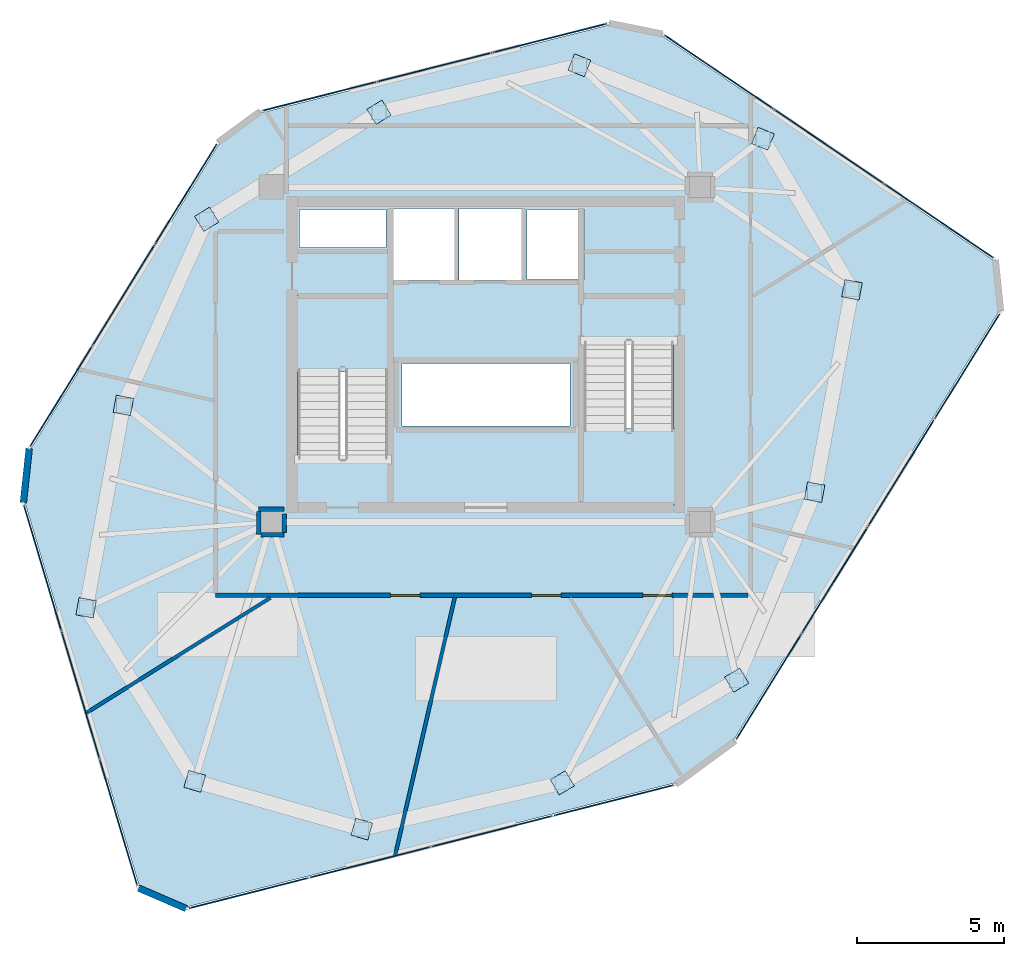
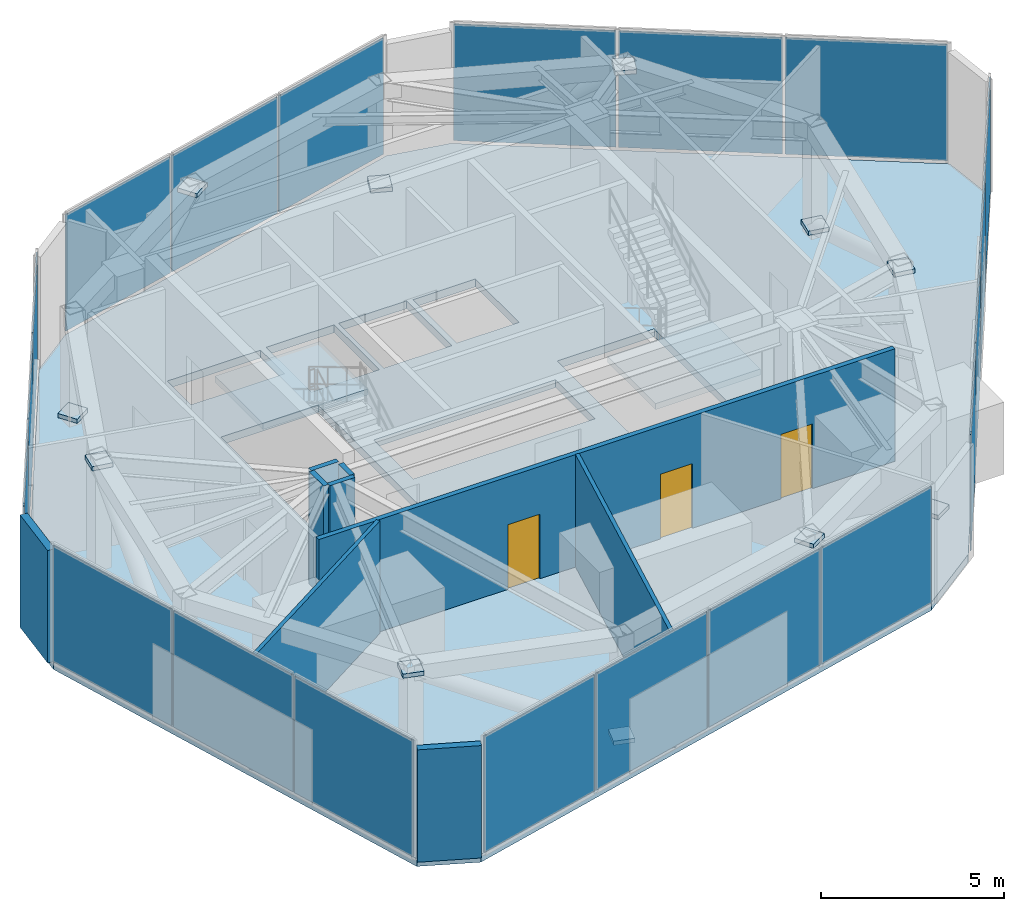
# One storey, part 17 of 21: 32 plates, 9 walls, 3 doors, 3 slabs, 3 openings, 8 elements without a shape of their own.
"""IFC4 building model written with IfcOpenShell, lengths in metres."""

from ifc_helpers import new_model, si_unit, direction, frame, frame_2d, origin, origin_2d, place, context, subcontext, project, spatial, polyline, rectangle, outline, extrude, source, transform, mapped, material, layer, layer_set, type_object, type_shapes, element, fill, aggregate, save


model = new_model("IFC4")

# Units and contexts
model_context = context("Model", 3, precision=1e-05, world=origin(), true_north=direction((0.0, 1.0)))
body_context = subcontext(model_context, "Body", "Model", "MODEL_VIEW")
ifc_project = project(units=[si_unit("LENGTHUNIT", "METRE"), si_unit("AREAUNIT", "SQUARE_METRE"), si_unit("VOLUMEUNIT", "CUBIC_METRE"), si_unit("PLANEANGLEUNIT", "RADIAN"), si_unit("MASSUNIT", "GRAM", prefix="KILO")], contexts=[model_context])

# Site, building, storey
site_placement = place(None, origin())
site = spatial("IfcSite", under=ifc_project, at=site_placement, CompositionType="ELEMENT")
building_placement = place(site_placement, origin())
building = spatial("IfcBuilding", under=site, at=building_placement, Name="Talar Marvaseh", CompositionType="ELEMENT")
storey_placement = place(building_placement, frame((0.0, 0.0, 300.0)))
storey = spatial("IfcBuildingStorey", under=building, at=storey_placement, Name="L80", CompositionType="ELEMENT", Elevation=300.0)

# Stair, slab
ifc_material_1 = material(Name="Concrete C40/50", Category="concrete")
stair_type = type_object("IfcStairType", Name="Reinforced Concrete High-Rise Exit Stair Type C", PredefinedType="HALF_TURN_STAIR", material=ifc_material_1)
stair_1_placement = place(storey_placement, origin())
stair_1 = element("IfcStair", 1, at=stair_1_placement, inside=storey, type_object=stair_type, Name="L80 Tower West Core Exit Stair", PredefinedType="HALF_TURN_STAIR")
ifc_layer_1 = layer(ifc_material_1, 0.199951171875)
ifc_layer_set_1 = layer_set([ifc_layer_1], Name="Concrete C40/50")
slab_type_1 = type_object("IfcSlabType", Name="Reinforced Concrete Stair Half-Landing Slab 200", PredefinedType="LANDING", material=ifc_layer_set_1)
slab_1_placement = place(storey_placement, frame((0.0, 0.0, 1.800048828125)))
slab_1 = element("IfcSlab", 2, at=slab_1_placement, type_object=slab_type_1, Name="ST-1 landing 1", PredefinedType="LANDING", context=body_context, shape_type="SweptSolid", body=[
    extrude(outline(polyline([(22.780029296875, 30.610107421875), (22.780029296875, 33.219970703125), (19.47998046875, 33.219970703125), (19.47998046875, 30.610107421875), (22.780029296875, 30.610107421875)])), origin(), (0.0, 0.0, 1.0), 0.199951171875),
])
aggregate(stair_1, [slab_1])

stair_2_placement = place(storey_placement, origin())
stair_2 = element("IfcStair", 3, at=stair_2_placement, inside=storey, type_object=stair_type, Name="L80 Tower East Core Exit Stair", PredefinedType="HALF_TURN_STAIR")
slab_2_placement = place(storey_placement, frame((0.0, 0.0, 1.800048828125)))
slab_2 = element("IfcSlab", 4, at=slab_2_placement, type_object=slab_type_1, Name="ST-2 landing 1", PredefinedType="LANDING", context=body_context, shape_type="SweptSolid", body=[
    extrude(outline(polyline([(29.219970703125, 28.68994140625), (29.219970703125, 26.080078125), (32.52001953125, 26.080078125), (32.52001953125, 28.68994140625), (29.219970703125, 28.68994140625)])), origin(), (0.0, 0.0, 1.0), 0.199951171875),
])
aggregate(stair_2, [slab_2])

# Slab
ifc_layer_2 = layer(ifc_material_1, 0.260009765625)
ifc_layer_set_2 = layer_set([ifc_layer_2], Name="Concrete C40/50")
slab_type_2 = type_object("IfcSlabType", Name="Structural Suspended Floor Slab 260", PredefinedType="FLOOR", material=ifc_layer_set_2)
slab_3_placement = place(storey_placement, frame((0.0, 0.0, -0.260009765625)))
element("IfcSlab", 5, at=slab_3_placement, inside=storey, type_object=slab_type_2, Name="L80 Tower Floor Slab", PredefinedType="FLOOR", context=body_context, shape_type="SweptSolid", body=[
    extrude(outline(polyline([(15.81689453125, 12.386474609375), (14.20263671875, 13.08251953125), (10.30810546875, 26.1494140625), (10.50634765625, 27.9951171875), (16.9169921875, 38.382080078125), (18.352783203125, 39.43505859375), (30.186767578125, 42.425537109375), (32.0068359375, 42.059326171875), (43.297607421875, 34.416015625), (43.47607421875, 32.6669921875), (34.451904296875, 18.089111328125), (32.433837890625, 16.609375), (15.81689453125, 12.386474609375)]), holes=[polyline([(22.659912109375, 27.64990234375), (22.659912109375, 33.10009765625), (19.60009765625, 33.10009765625), (19.60009765625, 27.64990234375), (22.659912109375, 27.64990234375)]), polyline([(29.340087890625, 31.64990234375), (29.340087890625, 26.199951171875), (32.39990234375, 26.199951171875), (32.39990234375, 31.64990234375), (29.340087890625, 31.64990234375)]), polyline([(22.800048828125, 33.719970703125), (24.93994140625, 33.719970703125), (24.93994140625, 36.179931640625), (22.800048828125, 36.179931640625), (22.800048828125, 33.719970703125)]), polyline([(25.080078125, 33.719970703125), (27.219970703125, 33.719970703125), (27.219970703125, 36.179931640625), (25.080078125, 36.179931640625), (25.080078125, 33.719970703125)]), polyline([(19.659912109375, 34.840087890625), (22.60009765625, 34.840087890625), (22.60009765625, 36.139892578125), (19.659912109375, 36.139892578125), (19.659912109375, 34.840087890625)]), polyline([(27.39990234375, 33.760009765625), (29.360107421875, 33.760009765625), (29.360107421875, 36.139892578125), (27.39990234375, 36.139892578125), (27.39990234375, 33.760009765625)]), polyline([(23.139892578125, 28.760009765625), (28.860107421875, 28.760009765625), (28.860107421875, 30.89990234375), (23.139892578125, 30.89990234375), (23.139892578125, 28.760009765625)])]), origin(), (0.0, 0.0, 1.0), 0.260009765625),
])

# Plates
ifc_material_2 = material(Name="Steel S460", Category="steel")
ifc_layer_3 = layer(ifc_material_2, 0.030029296875)
ifc_layer_set_3 = layer_set([ifc_layer_3], Name="Steel S460")
plate_type_1 = type_object("IfcPlateType", Name="Heavy Box End Closure Cap Plate 30", PredefinedType="USERDEFINED", material=ifc_layer_set_3)
shared_shape_1 = source(origin(), body_context, "Body", "SweptSolid", [
    extrude(rectangle(XDim=0.60009765625, YDim=0.60009765625, at=origin_2d()), origin(), (0.0, 0.0, 1.0), 0.139892578125),
])
type_shapes(plate_type_1, [shared_shape_1])
for number, where, z_axis, x_axis, name in (
    (6, (12.388916015625, 22.576904296875, 0.18017578125), (0.0, 0.0, 1.0), (0.180519145251, 0.983571470813, 0.0), "L80 Hollow Member End Cap Plate"),
    (7, (13.657958984375, 29.469970703125, 3.419921875), (0.0, 0.0, 1.0), (0.180519145251, 0.983571470813, 0.0), "L80 Hollow Member End Cap Plate"),
    (8, (16.493896484375, 35.806884765625, 0.18017578125), (0.0, 0.0, 1.0), (0.849892692987, 0.526955795497, 0.0), "L80 Hollow Member End Cap Plate"),
    (9, (22.364990234375, 39.4541015625, 3.419921875), (0.0, 0.0, 1.0), (0.849892692987, 0.526955795497, 0.0), "L80 Hollow Member End Cap Plate"),
    (10, (29.18798828125, 41.052001953125, 0.18017578125), (0.0, 0.0, 1.0), (0.928485826881, -0.37136783555, 0.0), "L80 Hollow Member End Cap Plate"),
    (11, (35.43798828125, 38.551025390625, 3.419921875), (0.0, 0.0, 1.0), (0.928485826881, -0.37136783555, 0.0), "L80 Hollow Member End Cap Plate"),
    (12, (38.470947265625, 33.406005859375, 0.18017578125), (0.0, 0.0, 1.0), (-0.182235525492, -0.983254907564, 0.0), "L80 Hollow Member End Cap Plate"),
    (13, (37.197021484375, 26.513916015625, 3.419921875), (0.0, 0.0, 1.0), (-0.182235525492, -0.983254907564, 0.0), "L80 Hollow Member End Cap Plate"),
    (14, (34.5439453125, 20.111083984375, 0.18017578125), (0.0, 0.0, 1.0), (-0.861629160442, -0.507538362961, 0.0), "L80 Hollow Member End Cap Plate"),
    (15, (28.60498046875, 16.616943359375, 3.419921875), (0.0, 0.0, 1.0), (-0.861629160442, -0.507538362961, 0.0), "L80 Hollow Member End Cap Plate"),
    (16, (21.77587890625, 15.0400390625, 0.18017578125), (0.0, 0.0, 1.0), (-0.961261695938, 0.275637355817, 0.0), "L80 Hollow Member End Cap Plate"),
    (17, (16.0869140625, 16.66796875, 3.419921875), (0.0, 0.0, 1.0), (-0.961261695938, 0.275637355817, 0.0), "L80 Hollow Member End Cap Plate"),
):
    element("IfcPlate", number, at=place(storey_placement, frame(where, z_axis=z_axis, x_axis=x_axis)), inside=storey, type_object=plate_type_1, Name=name, ObjectType="CAP_PLATE", PredefinedType="USERDEFINED", context=body_context, shape_type="MappedRepresentation", body=[
        mapped(shared_shape_1, transform((0.0, 0.0, 0.0), x_axis=(1.0, 0.0, 0.0), y_axis=(0.0, 1.0, 0.0), z_axis=(0.0, 0.0, 1.0), scale=1.0)),
    ])

# Curtain wall, plates
ifc_material_3 = material(Name="Architectural Aluminium", Category="aluminium")
ifc_layer_4 = layer(ifc_material_3, 0.2099609375)
ifc_layer_set_4 = layer_set([ifc_layer_4], Name="Architectural Aluminium")
curtain_wall_type = type_object("IfcCurtainWallType", Name="Crown Plant Acoustic Spandrel Curtain Wall", PredefinedType="NOTDEFINED", material=ifc_layer_set_4)
curtain_wall_1_placement = place(storey_placement, origin())
curtain_wall_1 = element("IfcCurtainWall", 18, at=curtain_wall_1_placement, inside=storey, type_object=curtain_wall_type, Name="L80 Crown Plant Acoustic Spandrel Curtain Wall", PredefinedType="NOTDEFINED")
ifc_material_4 = material(Name="Spandrel Insulated Glass", Category="glass")
ifc_layer_5 = layer(ifc_material_4, 0.035888671875)
ifc_layer_set_5 = layer_set([ifc_layer_5], Name="Spandrel Insulated Glass")
plate_type_2 = type_object("IfcPlateType", Name="Insulated Back-Painted Spandrel Curtain Panel 36", PredefinedType="CURTAIN_PANEL", material=ifc_layer_set_5)
shared_shape_2 = source(origin(), body_context, "Body", "SweptSolid", [
    extrude(rectangle(XDim=4.447509765625, YDim=0.035888671875, at=origin_2d()), origin(), (0.0, 0.0, 1.0), 3.8701171875),
])
plate_1_placement = place(storey_placement, frame((13.491455078125, 15.2587890625, 0.06494140625), z_axis=(0.0, 0.0, 1.0), x_axis=(-0.285624213164, 0.958341697337, 0.0)))
plate_1 = element("IfcPlate", 19, at=plate_1_placement, type_object=plate_type_2, Name="CW-CRN panel 1.1", PredefinedType="CURTAIN_PANEL", context=body_context, shape_type="MappedRepresentation", body=[
    mapped(shared_shape_2, transform((0.0, 0.0, 0.0), x_axis=(1.0, 0.0, 0.0), y_axis=(0.0, 1.0, 0.0), z_axis=(0.0, 0.0, 1.0), scale=1.0)),
])
plate_2_placement = place(storey_placement, frame((10.904296875, 23.93896484375, 0.06494140625), z_axis=(0.0, 0.0, 1.0), x_axis=(-0.285624213164, 0.958341697337, 0.0)))
plate_2 = element("IfcPlate", 20, at=plate_2_placement, type_object=plate_type_2, Name="CW-CRN panel 3.1", PredefinedType="CURTAIN_PANEL", context=body_context, shape_type="MappedRepresentation", body=[
    mapped(shared_shape_2, transform((0.0, 0.0, 0.0), x_axis=(1.0, 0.0, 0.0), y_axis=(0.0, 1.0, 0.0), z_axis=(0.0, 0.0, 1.0), scale=1.0)),
])

curtain_wall_2_placement = place(storey_placement, origin())
curtain_wall_2 = element("IfcCurtainWall", 21, at=curtain_wall_2_placement, inside=storey, type_object=curtain_wall_type, Name="L80 Crown Plant Acoustic Spandrel Curtain Wall", PredefinedType="NOTDEFINED")
plate_3_placement = place(storey_placement, frame((33.935791015625, 40.825927734375, 0.06494140625), z_axis=(0.0, 0.0, 1.0), x_axis=(0.828098262925, -0.560582970612, 0.0)))
plate_3 = element("IfcPlate", 22, at=plate_3_placement, type_object=plate_type_2, Name="CW-CRN panel 1.1", PredefinedType="CURTAIN_PANEL", context=body_context, shape_type="MappedRepresentation", body=[
    mapped(shared_shape_2, transform((0.0, 0.0, 0.0), x_axis=(1.0, 0.0, 0.0), y_axis=(0.0, 1.0, 0.0), z_axis=(0.0, 0.0, 1.0), scale=1.0)),
])
plate_4_placement = place(storey_placement, frame((41.43603515625, 35.74853515625, 0.06494140625), z_axis=(0.0, 0.0, 1.0), x_axis=(0.828098262925, -0.560582970612, 0.0)))
plate_4 = element("IfcPlate", 23, at=plate_4_placement, type_object=plate_type_2, Name="CW-CRN panel 3.1", PredefinedType="CURTAIN_PANEL", context=body_context, shape_type="MappedRepresentation", body=[
    mapped(shared_shape_2, transform((0.0, 0.0, 0.0), x_axis=(1.0, 0.0, 0.0), y_axis=(0.0, 1.0, 0.0), z_axis=(0.0, 0.0, 1.0), scale=1.0)),
])

# Plate
shared_shape_3 = source(origin(), body_context, "Body", "SweptSolid", [
    extrude(rectangle(XDim=4.47998046875, YDim=0.035888671875, at=origin_2d()), origin(), (0.0, 0.0, 1.0), 3.8701171875),
])
plate_5_placement = place(storey_placement, frame((12.197998046875, 19.598876953125, 0.06494140625), z_axis=(0.0, 0.0, 1.0), x_axis=(-0.285624213164, 0.958341697337, 0.0)))
plate_5 = element("IfcPlate", 24, at=plate_5_placement, type_object=plate_type_2, Name="CW-CRN panel 2.1", PredefinedType="CURTAIN_PANEL", context=body_context, shape_type="MappedRepresentation", body=[
    mapped(shared_shape_3, transform((0.0, 0.0, 0.0), x_axis=(1.0, 0.0, 0.0), y_axis=(0.0, 1.0, 0.0), z_axis=(0.0, 0.0, 1.0), scale=1.0)),
])

aggregate(curtain_wall_1, [plate_1, plate_5, plate_2])

plate_6_placement = place(storey_placement, frame((37.685791015625, 38.287353515625, 0.06494140625), z_axis=(0.0, 0.0, 1.0), x_axis=(0.828098262925, -0.560582970612, 0.0)))
plate_6 = element("IfcPlate", 25, at=plate_6_placement, type_object=plate_type_2, Name="CW-CRN panel 2.1", PredefinedType="CURTAIN_PANEL", context=body_context, shape_type="MappedRepresentation", body=[
    mapped(shared_shape_3, transform((0.0, 0.0, 0.0), x_axis=(1.0, 0.0, 0.0), y_axis=(0.0, 1.0, 0.0), z_axis=(0.0, 0.0, 1.0), scale=1.0)),
])

aggregate(curtain_wall_2, [plate_3, plate_6, plate_4])

# Curtain wall, plates
curtain_wall_3_placement = place(storey_placement, origin())
curtain_wall_3 = element("IfcCurtainWall", 26, at=curtain_wall_3_placement, inside=storey, type_object=curtain_wall_type, Name="L80 Crown Plant Acoustic Spandrel Curtain Wall", PredefinedType="NOTDEFINED")
shared_shape_4 = source(origin(), body_context, "Body", "SweptSolid", [
    extrude(rectangle(XDim=3.97119140625, YDim=0.035888671875, at=origin_2d()), origin(), (0.0, 0.0, 1.0), 3.8701171875),
])
plate_7_placement = place(storey_placement, frame((11.5322265625, 29.771728515625, 0.06494140625), z_axis=(0.0, 0.0, 1.0), x_axis=(0.52520226259, 0.850977428238, 0.0)))
plate_7 = element("IfcPlate", 27, at=plate_7_placement, type_object=plate_type_2, Name="CW-CRN panel 1.1", PredefinedType="CURTAIN_PANEL", context=body_context, shape_type="MappedRepresentation", body=[
    mapped(shared_shape_4, transform((0.0, 0.0, 0.0), x_axis=(1.0, 0.0, 0.0), y_axis=(0.0, 1.0, 0.0), z_axis=(0.0, 0.0, 1.0), scale=1.0)),
])
plate_8_placement = place(storey_placement, frame((15.788818359375, 36.668701171875, 0.06494140625), z_axis=(0.0, 0.0, 1.0), x_axis=(0.52520226259, 0.850977428238, 0.0)))
plate_8 = element("IfcPlate", 28, at=plate_8_placement, type_object=plate_type_2, Name="CW-CRN panel 3.1", PredefinedType="CURTAIN_PANEL", context=body_context, shape_type="MappedRepresentation", body=[
    mapped(shared_shape_4, transform((0.0, 0.0, 0.0), x_axis=(1.0, 0.0, 0.0), y_axis=(0.0, 1.0, 0.0), z_axis=(0.0, 0.0, 1.0), scale=1.0)),
])

curtain_wall_4_placement = place(storey_placement, origin())
curtain_wall_4 = element("IfcCurtainWall", 29, at=curtain_wall_4_placement, inside=storey, type_object=curtain_wall_type, Name="L80 Crown Plant Acoustic Spandrel Curtain Wall", PredefinedType="NOTDEFINED")
plate_9_placement = place(storey_placement, frame((20.326171875, 39.99560546875, 0.06494140625), z_axis=(0.0, 0.0, 1.0), x_axis=(0.969522501223, 0.245002284933, 0.0)))
plate_9 = element("IfcPlate", 30, at=plate_9_placement, type_object=plate_type_2, Name="CW-CRN panel 1.1", PredefinedType="CURTAIN_PANEL", context=body_context, shape_type="MappedRepresentation", body=[
    mapped(shared_shape_4, transform((0.0, 0.0, 0.0), x_axis=(1.0, 0.0, 0.0), y_axis=(0.0, 1.0, 0.0), z_axis=(0.0, 0.0, 1.0), scale=1.0)),
])
plate_10_placement = place(storey_placement, frame((28.18408203125, 41.981201171875, 0.06494140625), z_axis=(0.0, 0.0, 1.0), x_axis=(0.969522501223, 0.245002284933, 0.0)))
plate_10 = element("IfcPlate", 31, at=plate_10_placement, type_object=plate_type_2, Name="CW-CRN panel 3.1", PredefinedType="CURTAIN_PANEL", context=body_context, shape_type="MappedRepresentation", body=[
    mapped(shared_shape_4, transform((0.0, 0.0, 0.0), x_axis=(1.0, 0.0, 0.0), y_axis=(0.0, 1.0, 0.0), z_axis=(0.0, 0.0, 1.0), scale=1.0)),
])

# Plate
shared_shape_5 = source(origin(), body_context, "Body", "SweptSolid", [
    extrude(rectangle(XDim=4.003662109375, YDim=0.035888671875, at=origin_2d()), origin(), (0.0, 0.0, 1.0), 3.8701171875),
])
plate_11_placement = place(storey_placement, frame((13.660400390625, 33.22021484375, 0.06494140625), z_axis=(0.0, 0.0, 1.0), x_axis=(0.52520226259, 0.850977428238, 0.0)))
plate_11 = element("IfcPlate", 32, at=plate_11_placement, type_object=plate_type_2, Name="CW-CRN panel 2.1", PredefinedType="CURTAIN_PANEL", context=body_context, shape_type="MappedRepresentation", body=[
    mapped(shared_shape_5, transform((0.0, 0.0, 0.0), x_axis=(1.0, 0.0, 0.0), y_axis=(0.0, 1.0, 0.0), z_axis=(0.0, 0.0, 1.0), scale=1.0)),
])

aggregate(curtain_wall_3, [plate_7, plate_11, plate_8])

plate_12_placement = place(storey_placement, frame((24.255126953125, 40.988525390625, 0.06494140625), z_axis=(0.0, 0.0, 1.0), x_axis=(0.969522501223, 0.245002284933, 0.0)))
plate_12 = element("IfcPlate", 33, at=plate_12_placement, type_object=plate_type_2, Name="CW-CRN panel 2.1", PredefinedType="CURTAIN_PANEL", context=body_context, shape_type="MappedRepresentation", body=[
    mapped(shared_shape_5, transform((0.0, 0.0, 0.0), x_axis=(1.0, 0.0, 0.0), y_axis=(0.0, 1.0, 0.0), z_axis=(0.0, 0.0, 1.0), scale=1.0)),
])

aggregate(curtain_wall_4, [plate_9, plate_12, plate_10])

# Curtain wall, plates
curtain_wall_5_placement = place(storey_placement, origin())
curtain_wall_5 = element("IfcCurtainWall", 34, at=curtain_wall_5_placement, inside=storey, type_object=curtain_wall_type, Name="L80 Crown Plant Acoustic Spandrel Curtain Wall", PredefinedType="NOTDEFINED")
shared_shape_6 = source(origin(), body_context, "Body", "SweptSolid", [
    extrude(rectangle(XDim=4.188720703125, YDim=0.035888671875, at=origin_2d()), origin(), (0.0, 0.0, 1.0), 3.8701171875),
])
plate_13_placement = place(storey_placement, frame((42.390625, 30.79931640625, 0.06494140625), z_axis=(0.0, 0.0, 1.0), x_axis=(-0.526349795552, -0.850268129899, 0.0)))
plate_13 = element("IfcPlate", 35, at=plate_13_placement, type_object=plate_type_2, Name="CW-CRN panel 1.1", PredefinedType="CURTAIN_PANEL", context=body_context, shape_type="MappedRepresentation", body=[
    mapped(shared_shape_6, transform((0.0, 0.0, 0.0), x_axis=(1.0, 0.0, 0.0), y_axis=(0.0, 1.0, 0.0), z_axis=(0.0, 0.0, 1.0), scale=1.0)),
])
plate_14_placement = place(storey_placement, frame((35.639404296875, 19.8935546875, 0.06494140625), z_axis=(0.0, 0.0, 1.0), x_axis=(-0.526349795552, -0.850268129899, 0.0)))
plate_14 = element("IfcPlate", 36, at=plate_14_placement, type_object=plate_type_2, Name="CW-CRN panel 4.1", PredefinedType="CURTAIN_PANEL", context=body_context, shape_type="MappedRepresentation", body=[
    mapped(shared_shape_6, transform((0.0, 0.0, 0.0), x_axis=(1.0, 0.0, 0.0), y_axis=(0.0, 1.0, 0.0), z_axis=(0.0, 0.0, 1.0), scale=1.0)),
])

curtain_wall_6_placement = place(storey_placement, origin())
curtain_wall_6 = element("IfcCurtainWall", 37, at=curtain_wall_6_placement, inside=storey, type_object=curtain_wall_type, Name="L80 Crown Plant Acoustic Spandrel Curtain Wall", PredefinedType="NOTDEFINED")
plate_15_placement = place(storey_placement, frame((30.355712890625, 16.019287109375, 0.06494140625), z_axis=(0.0, 0.0, 1.0), x_axis=(-0.969192700287, -0.246303694064, 0.0)))
plate_15 = element("IfcPlate", 38, at=plate_15_placement, type_object=plate_type_2, Name="CW-CRN panel 1.1", PredefinedType="CURTAIN_PANEL", context=body_context, shape_type="MappedRepresentation", body=[
    mapped(shared_shape_6, transform((0.0, 0.0, 0.0), x_axis=(1.0, 0.0, 0.0), y_axis=(0.0, 1.0, 0.0), z_axis=(0.0, 0.0, 1.0), scale=1.0)),
])
plate_16_placement = place(storey_placement, frame((17.924560546875, 12.860107421875, 0.06494140625), z_axis=(0.0, 0.0, 1.0), x_axis=(-0.969192700287, -0.246303694064, 0.0)))
plate_16 = element("IfcPlate", 39, at=plate_16_placement, type_object=plate_type_2, Name="CW-CRN panel 4.1", PredefinedType="CURTAIN_PANEL", context=body_context, shape_type="MappedRepresentation", body=[
    mapped(shared_shape_6, transform((0.0, 0.0, 0.0), x_axis=(1.0, 0.0, 0.0), y_axis=(0.0, 1.0, 0.0), z_axis=(0.0, 0.0, 1.0), scale=1.0)),
])

# Plate
shared_shape_7 = source(origin(), body_context, "Body", "SweptSolid", [
    extrude(rectangle(XDim=4.22119140625, YDim=0.035888671875, at=origin_2d()), origin(), (0.0, 0.0, 1.0), 3.8701171875),
])
type_shapes(plate_type_2, [shared_shape_2, shared_shape_3, shared_shape_4, shared_shape_5, shared_shape_6, shared_shape_7])
plate_17_placement = place(storey_placement, frame((40.14306640625, 27.168701171875, 0.06494140625), z_axis=(0.0, 0.0, 1.0), x_axis=(-0.526349795552, -0.850268129899, 0.0)))
plate_17 = element("IfcPlate", 40, at=plate_17_placement, type_object=plate_type_2, Name="CW-CRN panel 2.1", PredefinedType="CURTAIN_PANEL", context=body_context, shape_type="MappedRepresentation", body=[
    mapped(shared_shape_7, transform((0.0, 0.0, 0.0), x_axis=(1.0, 0.0, 0.0), y_axis=(0.0, 1.0, 0.0), z_axis=(0.0, 0.0, 1.0), scale=1.0)),
])

plate_18_placement = place(storey_placement, frame((37.886962890625, 23.524169921875, 0.06494140625), z_axis=(0.0, 0.0, 1.0), x_axis=(-0.526349795552, -0.850268129899, 0.0)))
plate_18 = element("IfcPlate", 41, at=plate_18_placement, type_object=plate_type_2, Name="CW-CRN panel 3.1", PredefinedType="CURTAIN_PANEL", context=body_context, shape_type="MappedRepresentation", body=[
    mapped(shared_shape_7, transform((0.0, 0.0, 0.0), x_axis=(1.0, 0.0, 0.0), y_axis=(0.0, 1.0, 0.0), z_axis=(0.0, 0.0, 1.0), scale=1.0)),
])

aggregate(curtain_wall_5, [plate_13, plate_17, plate_18, plate_14])

plate_19_placement = place(storey_placement, frame((26.21728515625, 14.967529296875, 0.06494140625), z_axis=(0.0, 0.0, 1.0), x_axis=(-0.969192700287, -0.246303694064, 0.0)))
plate_19 = element("IfcPlate", 42, at=plate_19_placement, type_object=plate_type_2, Name="CW-CRN panel 2.1", PredefinedType="CURTAIN_PANEL", context=body_context, shape_type="MappedRepresentation", body=[
    mapped(shared_shape_7, transform((0.0, 0.0, 0.0), x_axis=(1.0, 0.0, 0.0), y_axis=(0.0, 1.0, 0.0), z_axis=(0.0, 0.0, 1.0), scale=1.0)),
])

plate_20_placement = place(storey_placement, frame((22.06298828125, 13.911865234375, 0.06494140625), z_axis=(0.0, 0.0, 1.0), x_axis=(-0.969192700287, -0.246303694064, 0.0)))
plate_20 = element("IfcPlate", 43, at=plate_20_placement, type_object=plate_type_2, Name="CW-CRN panel 3.1", PredefinedType="CURTAIN_PANEL", context=body_context, shape_type="MappedRepresentation", body=[
    mapped(shared_shape_7, transform((0.0, 0.0, 0.0), x_axis=(1.0, 0.0, 0.0), y_axis=(0.0, 1.0, 0.0), z_axis=(0.0, 0.0, 1.0), scale=1.0)),
])

aggregate(curtain_wall_6, [plate_15, plate_19, plate_20, plate_16])

# Walls
ifc_material_5 = material(Name="Precast concrete C45/55", Category="concrete")
ifc_layer_6 = layer(ifc_material_5, 0.22509765625)
ifc_layer_set_6 = layer_set([ifc_layer_6], Name="Precast concrete C45/55")
wall_type_1 = type_object("IfcWallType", Name="Chamfered Hexagonal Corner Pier Wall Z4 225", PredefinedType="SOLIDWALL", material=ifc_layer_set_6)
wall_1_placement = place(storey_placement, frame((15.793212890625, 12.331298828125, 0.0), z_axis=(0.0, 0.0, 1.0), x_axis=(-0.918244876709, 0.396013063417, 0.0)))
element("IfcWall", 44, at=wall_1_placement, inside=storey, type_object=wall_type_1, Name="L80 Chamfered Corner Limestone Pier 1", PredefinedType="SOLIDWALL", context=body_context, shape_type="SweptSolid", body=[
    extrude(rectangle(XDim=1.75830078125, YDim=0.22509765625, at=frame_2d((0.879150390625, 0.0))), origin(), (0.0, 0.0, 1.0), 3.739990234375),
])
wall_2_placement = place(storey_placement, frame((10.24853515625, 26.15576171875, 0.0), z_axis=(0.0, 0.0, 1.0), x_axis=(0.106649204036, 0.99429670988, 0.0)))
element("IfcWall", 45, at=wall_2_placement, inside=storey, type_object=wall_type_1, Name="L80 Chamfered Corner Limestone Pier 2", PredefinedType="SOLIDWALL", context=body_context, shape_type="SweptSolid", body=[
    extrude(rectangle(XDim=1.8564453125, YDim=0.22509765625, at=frame_2d((0.92822265625, 0.0))), origin(), (0.0, 0.0, 1.0), 3.739990234375),
])

# Wall, openings, doors
ifc_material_6 = material(Name="Gypsum Board Partition Assembly")
ifc_layer_7 = layer(ifc_material_6, 0.155029296875)
ifc_layer_set_7 = layer_set([ifc_layer_7], Name="Gypsum Board Partition Assembly")
wall_type_2 = type_object("IfcWallType", Name="Corridor Fire-Rated Acoustic Partition 155", PredefinedType="PARTITIONING", material=ifc_layer_set_7)
wall_3_placement = place(storey_placement, frame((34.9365234375, 23.0, 0.0), z_axis=(0.0, 0.0, 1.0), x_axis=(-1.0, 0.0, 0.0)))
wall_3 = element("IfcWall", 46, at=wall_3_placement, inside=storey, type_object=wall_type_2, Name="L80 Interior Partition Wall", PredefinedType="PARTITIONING", context=body_context, shape_type="SweptSolid", body=[
    extrude(rectangle(XDim=18.136474609375, YDim=0.155029296875, at=frame_2d((9.068359375, 0.0))), origin(), (0.0, 0.0, 1.0), 3.739990234375),
])
opening_1_placement = place(wall_3_placement, frame((11.17431640625, 0.0, 0.0)))
opening_1 = element("IfcOpeningElement", 47, at=opening_1_placement, cuts=wall_3, Name="Opening DR-RM100", PredefinedType="OPENING", context=body_context, shape_type="SweptSolid", body=[
    extrude(rectangle(XDim=1.0, YDim=2.14990234375, at=frame_2d((0.5, 1.074951171875))), frame((0.0, 0.08740234375, 0.0), z_axis=(0.0, -1.0, 0.0), x_axis=(1.0, 0.0, 0.0)), (0.0, 0.0, 1.0), 0.175048828125),
])
opening_2_placement = place(wall_3_placement, frame((6.37451171875, 0.0, 0.0)))
opening_2 = element("IfcOpeningElement", 48, at=opening_2_placement, cuts=wall_3, Name="Opening DR-RM100", PredefinedType="OPENING", context=body_context, shape_type="SweptSolid", body=[
    extrude(rectangle(XDim=1.0, YDim=2.14990234375, at=frame_2d((0.5, 1.074951171875))), frame((0.0, 0.08740234375, 0.0), z_axis=(0.0, -1.0, 0.0), x_axis=(1.0, 0.0, 0.0)), (0.0, 0.0, 1.0), 0.175048828125),
])
opening_3_placement = place(wall_3_placement, frame((2.590576171875, 0.0, 0.0)))
opening_3 = element("IfcOpeningElement", 49, at=opening_3_placement, cuts=wall_3, Name="Opening DR-RM100", PredefinedType="OPENING", context=body_context, shape_type="SweptSolid", body=[
    extrude(rectangle(XDim=1.0, YDim=2.14990234375, at=frame_2d((0.5, 1.074951171875))), frame((0.0, 0.08740234375, 0.0), z_axis=(0.0, -1.0, 0.0), x_axis=(1.0, 0.0, 0.0)), (0.0, 0.0, 1.0), 0.175048828125),
])
ifc_material_7 = material(Name="Acoustic Engineered Oak Timber", Category="wood")
door_type = type_object("IfcDoorType", Name="Corridor Fire-Rated Gallery Door 1000x2150", OperationType="NOTDEFINED", PredefinedType="DOOR", material=ifc_material_7)
shared_shape_8 = source(origin(), body_context, "Body", "SweptSolid", [
    extrude(rectangle(XDim=1.0, YDim=2.14990234375, at=frame_2d((0.5, 1.074951171875))), frame((0.0, 0.02490234375, 0.0), z_axis=(0.0, -1.0, 0.0), x_axis=(1.0, 0.0, 0.0)), (0.0, 0.0, 1.0), 0.050048828125),
])
type_shapes(door_type, [shared_shape_8])
door_1_placement = place(opening_1_placement, origin())
door_1 = element("IfcDoor", 50, at=door_1_placement, inside=storey, type_object=door_type, Name="L80 AHU Ventilation Plant Room Door", OperationType="SINGLE_SWING_RIGHT", OverallHeight=2.14990234375, OverallWidth=1.0, PredefinedType="DOOR", context=body_context, shape_type="MappedRepresentation", body=[
    mapped(shared_shape_8, transform((0.0, 0.0, 0.0), x_axis=(1.0, 0.0, 0.0), y_axis=(0.0, 1.0, 0.0), z_axis=(0.0, 0.0, 1.0), scale=1.0)),
])
fill(opening_1, door_1)
door_2_placement = place(opening_2_placement, origin())
door_2 = element("IfcDoor", 51, at=door_2_placement, inside=storey, type_object=door_type, Name="L80 Fire and Domestic Water Pump Plant Room Door", OperationType="SINGLE_SWING_LEFT", OverallHeight=2.14990234375, OverallWidth=1.0, PredefinedType="DOOR", context=body_context, shape_type="MappedRepresentation", body=[
    mapped(shared_shape_8, transform((0.0, 0.0, 0.0), x_axis=(1.0, 0.0, 0.0), y_axis=(0.0, 1.0, 0.0), z_axis=(0.0, 0.0, 1.0), scale=1.0)),
])
fill(opening_2, door_2)
door_3_placement = place(opening_3_placement, origin())
door_3 = element("IfcDoor", 52, at=door_3_placement, inside=storey, type_object=door_type, Name="L80 HV Transformer Switchroom Door", OperationType="SINGLE_SWING_RIGHT", OverallHeight=2.14990234375, OverallWidth=1.0, PredefinedType="DOOR", context=body_context, shape_type="MappedRepresentation", body=[
    mapped(shared_shape_8, transform((0.0, 0.0, 0.0), x_axis=(1.0, 0.0, 0.0), y_axis=(0.0, 1.0, 0.0), z_axis=(0.0, 0.0, 1.0), scale=1.0)),
])
fill(opening_3, door_3)

# Walls
wall_4_placement = place(storey_placement, frame((19.125, 25.93994140625, 0.0), z_axis=(0.0, 0.0, 1.0), x_axis=(-0.999986962681, -0.005106316405, 0.0)))
element("IfcWall", 53, at=wall_4_placement, inside=storey, type_object=wall_type_2, Name="L80 Interior Partition Wall", PredefinedType="PARTITIONING", context=body_context, shape_type="SweptSolid", body=[
    extrude(rectangle(XDim=0.860595703125, YDim=0.155029296875, at=frame_2d((0.43017578125, 0.0))), origin(), (0.0, 0.0, 1.0), 3.739990234375),
])
for number, where, z_axis, x_axis, name in (
    (54, (18.264404296875, 25.85205078125, 0.0), (0.0, 0.0, 1.0), (0.0, -1.0, 0.0), "L80 Interior Partition Wall"),
    (55, (18.347900390625, 25.064453125, 0.0), (0.0, 0.0, 1.0), (1.0, 0.0, 0.0), "L80 Interior Partition Wall"),
):
    element("IfcWall", number, at=place(storey_placement, frame(where, z_axis=z_axis, x_axis=x_axis)), inside=storey, type_object=wall_type_2, Name=name, PredefinedType="PARTITIONING", context=body_context, shape_type="SweptSolid", body=[
        extrude(rectangle(XDim=0.78759765625, YDim=0.155029296875, at=frame_2d((0.393798828125, 0.0))), origin(), (0.0, 0.0, 1.0), 3.739990234375),
    ])
wall_5_placement = place(storey_placement, frame((19.135986328125, 25.14794921875, 0.0), z_axis=(0.0, 0.0, 1.0), x_axis=(0.005140303777, 0.999986788551, 0.0)))
element("IfcWall", 56, at=wall_5_placement, inside=storey, type_object=wall_type_2, Name="L80 Interior Partition Wall", PredefinedType="PARTITIONING", context=body_context, shape_type="SweptSolid", body=[
    extrude(rectangle(XDim=0.617431640625, YDim=0.155029296875, at=frame_2d((0.30859375, 0.0))), origin(), (0.0, 0.0, 1.0), 3.739990234375),
])
ifc_layer_8 = layer(ifc_material_6, 0.1201171875)
ifc_layer_set_8 = layer_set([ifc_layer_8], Name="Gypsum Board Partition Assembly")
wall_type_3 = type_object("IfcWallType", Name="Demountable Studio Room Partition 120", PredefinedType="PARTITIONING", material=ifc_layer_set_8)
wall_6_placement = place(storey_placement, frame((18.666259765625, 22.91650390625, 0.0), z_axis=(0.0, 0.0, 1.0), x_axis=(-0.847985308256, -0.530019732634, 0.0)))
element("IfcWall", 57, at=wall_6_placement, inside=storey, type_object=wall_type_3, Name="L80 Interior Partition Wall", PredefinedType="PARTITIONING", context=body_context, shape_type="SweptSolid", body=[
    extrude(rectangle(XDim=7.387939453125, YDim=0.1201171875, at=frame_2d((3.69384765625, 0.0))), origin(), (0.0, 0.0, 1.0), 3.739990234375),
])
wall_7_placement = place(storey_placement, frame((24.9453125, 22.936767578125, 0.0), z_axis=(0.0, 0.0, 1.0), x_axis=(-0.225258911086, -0.974298939226, 0.0)))
element("IfcWall", 58, at=wall_7_placement, inside=storey, type_object=wall_type_3, Name="L80 Interior Partition Wall", PredefinedType="PARTITIONING", context=body_context, shape_type="SweptSolid", body=[
    extrude(rectangle(XDim=9.017333984375, YDim=0.1201171875, at=frame_2d((4.5087890625, 0.0))), origin(), (0.0, 0.0, 1.0), 3.739990234375),
])

save(model, "model.ifc")
